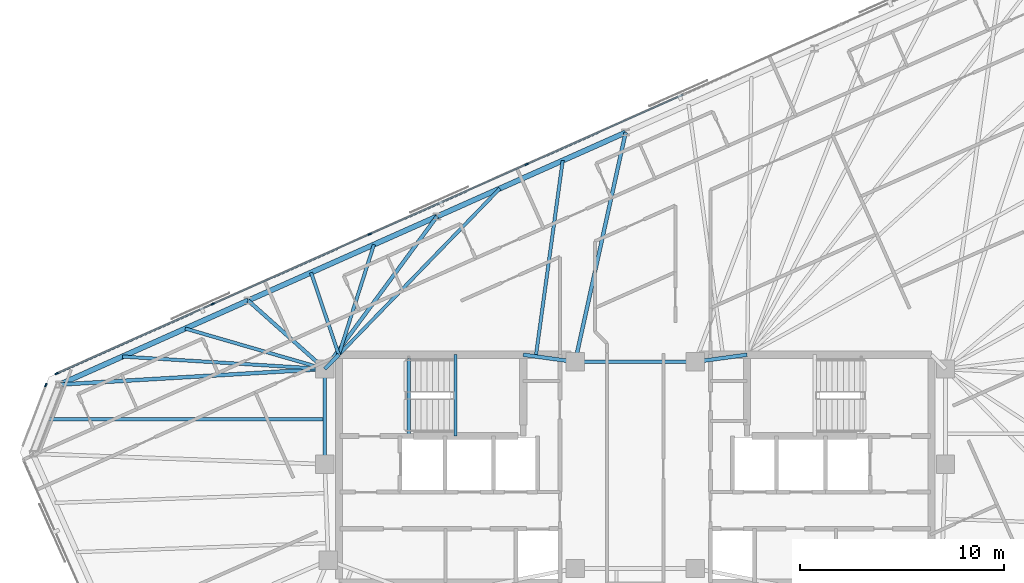
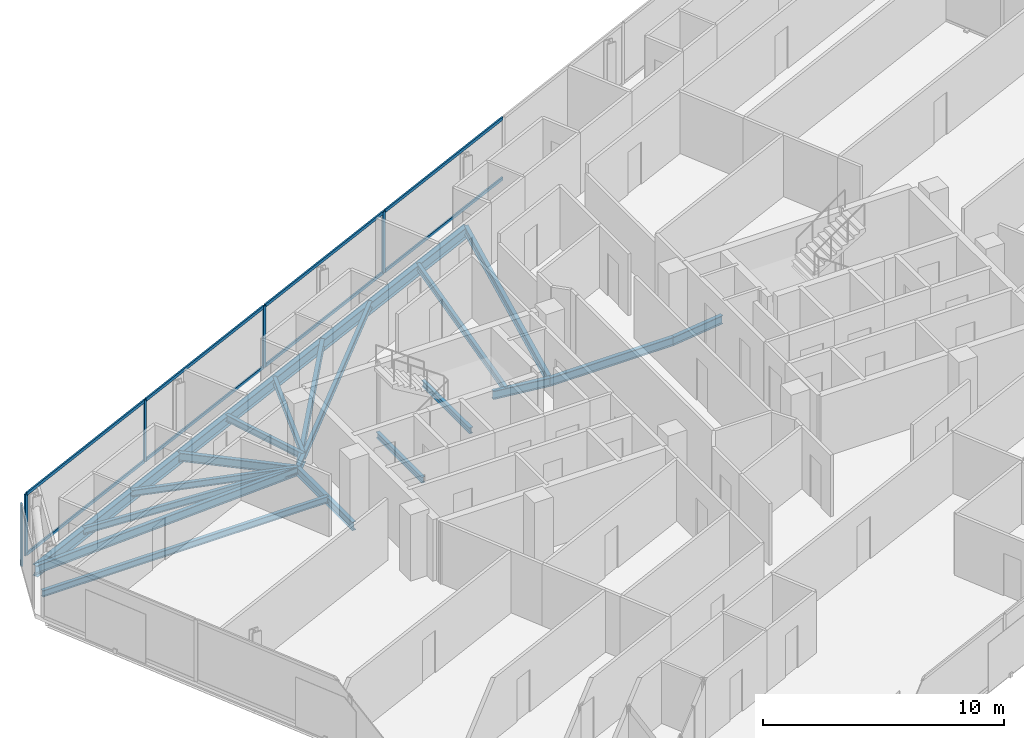
# One storey, part 9 of 19: 21 beams, 13 members, 2 elements without a shape of their own.
"""IFC4 building model written with IfcOpenShell, lengths in metres."""

from ifc_helpers import new_model, si_unit, direction, frame, origin, origin_2d, place, context, subcontext, project, spatial, rectangle, i_section, extrude, material, material_profile, profile_set, type_object, element, aggregate, save


model = new_model("IFC4")

# Units and contexts
model_context = context("Model", 3, precision=1e-05, world=origin(), true_north=direction((0.0, 1.0)))
body_context = subcontext(model_context, "Body", "Model", "MODEL_VIEW")
ifc_project = project(units=[si_unit("LENGTHUNIT", "METRE"), si_unit("AREAUNIT", "SQUARE_METRE"), si_unit("VOLUMEUNIT", "CUBIC_METRE"), si_unit("PLANEANGLEUNIT", "RADIAN"), si_unit("MASSUNIT", "GRAM", prefix="KILO")], contexts=[model_context])

# Site, building, storey
site_placement = place(None, origin())
site = spatial("IfcSite", under=ifc_project, at=site_placement, CompositionType="ELEMENT")
building_placement = place(site_placement, origin())
building = spatial("IfcBuilding", under=site, at=building_placement, Name="Menara Jurai Vektor", CompositionType="ELEMENT")
storey_placement = place(building_placement, frame((0.0, 0.0, 291.949951171875)))
storey = spatial("IfcBuildingStorey", under=building, at=storey_placement, Name="L78", CompositionType="ELEMENT", Elevation=291.949951171875)

# Curtain wall, members
ifc_material_1 = material(Name="Anodised Pale Aluminium & Low-E Double Glazing", Category="aluminium")
curtain_wall_type = type_object("IfcCurtainWallType", Name="CW-BLK5", PredefinedType="NOTDEFINED", material=ifc_material_1)
curtain_wall_1_placement = place(storey_placement, origin())
curtain_wall_1 = element("IfcCurtainWall", 1, at=curtain_wall_1_placement, inside=storey, type_object=curtain_wall_type, Name="Unitised Curtain Wall L78 F05", PredefinedType="NOTDEFINED")
ifc_material_2 = material(Name="Anodised Pale Aluminium Mullion", Category="aluminium")
ifc_material_profile_1 = material_profile(ifc_material_2, rectangle(XDim=0.074951171875, YDim=0.175048828125, at=origin_2d()), Name="ALU MUL 75x175")
ifc_profile_set_1 = profile_set([ifc_material_profile_1], Name="Anodised Pale Aluminium Mullion")
member_type_1 = type_object("IfcMemberType", Name="CW-BLK5-MUL", PredefinedType="MULLION", material=ifc_profile_set_1)
member_1_placement = place(storey_placement, frame((-5.327880859375, 14.957275390625, 0.0), z_axis=(0.0, 0.0, 1.0), x_axis=(0.406735498684, -0.913545967158, 0.0)))
member_1 = element("IfcMember", 2, at=member_1_placement, type_object=member_type_1, Name="CW-05 mullion 4", PredefinedType="MULLION", context=body_context, shape_type="SweptSolid", body=[
    extrude(rectangle(XDim=0.074951171875, YDim=0.175048828125, at=origin_2d()), origin(), (0.0, 0.0, 1.0), 3.125),
])
member_2_placement = place(storey_placement, frame((-13.038330078125, 11.5244140625, 0.0), z_axis=(0.0, 0.0, 1.0), x_axis=(0.406735498684, -0.913545967158, 0.0)))
member_2 = element("IfcMember", 3, at=member_2_placement, type_object=member_type_1, Name="CW-05 mullion 5", PredefinedType="MULLION", context=body_context, shape_type="SweptSolid", body=[
    extrude(rectangle(XDim=0.074951171875, YDim=0.175048828125, at=origin_2d()), origin(), (0.0, 0.0, 1.0), 3.125),
])
member_3_placement = place(storey_placement, frame((-20.748779296875, 8.091552734375, 0.0), z_axis=(0.0, 0.0, 1.0), x_axis=(0.406735498684, -0.913545967158, 0.0)))
member_3 = element("IfcMember", 4, at=member_3_placement, type_object=member_type_1, Name="CW-05 mullion 6", PredefinedType="MULLION", context=body_context, shape_type="SweptSolid", body=[
    extrude(rectangle(XDim=0.074951171875, YDim=0.175048828125, at=origin_2d()), origin(), (0.0, 0.0, 1.0), 3.125),
])
member_4_placement = place(storey_placement, frame((-28.4248046875, 4.674072265625, 0.0), z_axis=(0.0, 0.0, 1.0), x_axis=(0.406735498684, -0.913545967158, 0.0)))
member_4 = element("IfcMember", 5, at=member_4_placement, type_object=member_type_1, Name="CW-05 mullion 7", PredefinedType="MULLION", context=body_context, shape_type="SweptSolid", body=[
    extrude(rectangle(XDim=0.074951171875, YDim=0.175048828125, at=origin_2d()), origin(), (0.0, 0.0, 1.0), 3.125),
])

# Curtain wall, member
curtain_wall_2_placement = place(storey_placement, origin())
curtain_wall_2 = element("IfcCurtainWall", 6, at=curtain_wall_2_placement, inside=storey, type_object=curtain_wall_type, Name="Unitised Curtain Wall L78 F06", PredefinedType="NOTDEFINED")
member_5_placement = place(storey_placement, frame((-28.955810546875, 4.114501953125, 0.0), z_axis=(0.0, 0.0, 1.0), x_axis=(0.933578193639, -0.358373766287, 0.0)))
member_5 = element("IfcMember", 7, at=member_5_placement, type_object=member_type_1, Name="CW-05 mullion 1", PredefinedType="MULLION", context=body_context, shape_type="SweptSolid", body=[
    extrude(rectangle(XDim=0.074951171875, YDim=0.175048828125, at=origin_2d()), origin(), (0.0, 0.0, 1.0), 3.125),
])
aggregate(curtain_wall_2, [member_5])

# Member
ifc_material_3 = material(Name="Anodised Pale Aluminium Transom", Category="aluminium")
ifc_material_profile_2 = material_profile(ifc_material_3, rectangle(XDim=0.074951171875, YDim=0.155029296875, at=origin_2d()), Name="ALU TRN 75x155")
ifc_profile_set_2 = profile_set([ifc_material_profile_2], Name="Anodised Pale Aluminium Transom")
member_type_2 = type_object("IfcMemberType", Name="CW-BLK5-TRN", PredefinedType="USERDEFINED", material=ifc_profile_set_2)
member_6_placement = place(storey_placement, frame((2.34814453125, 18.375, 0.03759765625), z_axis=(-0.913546575494, -0.406734132331, 0.0), x_axis=(0.406734132331, -0.913546575494, 0.0)))
member_6 = element("IfcMember", 8, at=member_6_placement, type_object=member_type_2, Name="CW-05 transom 3.1", ObjectType="TRANSOM", PredefinedType="USERDEFINED", context=body_context, shape_type="SweptSolid", body=[
    extrude(rectangle(XDim=0.074951171875, YDim=0.155029296875, at=origin_2d()), origin(), (0.0, 0.0, 1.0), 8.364990234375),
])

member_7_placement = place(storey_placement, frame((2.34814453125, 18.375, 3.087646484375), z_axis=(-0.913546575494, -0.406734132331, 0.0), x_axis=(0.406734132331, -0.913546575494, 0.0)))
member_7 = element("IfcMember", 9, at=member_7_placement, type_object=member_type_2, Name="CW-05 transom 3.2", ObjectType="TRANSOM", PredefinedType="USERDEFINED", context=body_context, shape_type="SweptSolid", body=[
    extrude(rectangle(XDim=0.074951171875, YDim=0.155029296875, at=origin_2d()), origin(), (0.0, 0.0, 1.0), 8.364990234375),
])

member_8_placement = place(storey_placement, frame((-5.3623046875, 14.942138671875, 0.03759765625), z_axis=(-0.913546575494, -0.406734132331, 0.0), x_axis=(0.406734132331, -0.913546575494, 0.0)))
member_8 = element("IfcMember", 10, at=member_8_placement, type_object=member_type_2, Name="CW-05 transom 4.1", ObjectType="TRANSOM", PredefinedType="USERDEFINED", context=body_context, shape_type="SweptSolid", body=[
    extrude(rectangle(XDim=0.074951171875, YDim=0.155029296875, at=origin_2d()), origin(), (0.0, 0.0, 1.0), 8.364990234375),
])

member_9_placement = place(storey_placement, frame((-5.3623046875, 14.942138671875, 3.087646484375), z_axis=(-0.913546575494, -0.406734132331, 0.0), x_axis=(0.406734132331, -0.913546575494, 0.0)))
member_9 = element("IfcMember", 11, at=member_9_placement, type_object=member_type_2, Name="CW-05 transom 4.2", ObjectType="TRANSOM", PredefinedType="USERDEFINED", context=body_context, shape_type="SweptSolid", body=[
    extrude(rectangle(XDim=0.074951171875, YDim=0.155029296875, at=origin_2d()), origin(), (0.0, 0.0, 1.0), 8.364990234375),
])

member_10_placement = place(storey_placement, frame((-13.072509765625, 11.50927734375, 0.03759765625), z_axis=(-0.913546575494, -0.406734132331, 0.0), x_axis=(0.406734132331, -0.913546575494, 0.0)))
member_10 = element("IfcMember", 12, at=member_10_placement, type_object=member_type_2, Name="CW-05 transom 5.1", ObjectType="TRANSOM", PredefinedType="USERDEFINED", context=body_context, shape_type="SweptSolid", body=[
    extrude(rectangle(XDim=0.074951171875, YDim=0.155029296875, at=origin_2d()), origin(), (0.0, 0.0, 1.0), 8.364990234375),
])

member_11_placement = place(storey_placement, frame((-13.072509765625, 11.50927734375, 3.087646484375), z_axis=(-0.913546575494, -0.406734132331, 0.0), x_axis=(0.406734132331, -0.913546575494, 0.0)))
member_11 = element("IfcMember", 13, at=member_11_placement, type_object=member_type_2, Name="CW-05 transom 5.2", ObjectType="TRANSOM", PredefinedType="USERDEFINED", context=body_context, shape_type="SweptSolid", body=[
    extrude(rectangle(XDim=0.074951171875, YDim=0.155029296875, at=origin_2d()), origin(), (0.0, 0.0, 1.0), 8.364990234375),
])

member_12_placement = place(storey_placement, frame((-20.782958984375, 8.076416015625, 0.03759765625), z_axis=(-0.91353811338, -0.406753138159, 0.0), x_axis=(0.406753138159, -0.91353811338, 0.0)))
member_12 = element("IfcMember", 14, at=member_12_placement, type_object=member_type_2, Name="CW-05 transom 6.1", ObjectType="TRANSOM", PredefinedType="USERDEFINED", context=body_context, shape_type="SweptSolid", body=[
    extrude(rectangle(XDim=0.074951171875, YDim=0.155029296875, at=origin_2d()), origin(), (0.0, 0.0, 1.0), 8.327392578125),
])

member_13_placement = place(storey_placement, frame((-20.782958984375, 8.076416015625, 3.087646484375), z_axis=(-0.91353811338, -0.406753138159, 0.0), x_axis=(0.406753138159, -0.91353811338, 0.0)))
member_13 = element("IfcMember", 15, at=member_13_placement, type_object=member_type_2, Name="CW-05 transom 6.2", ObjectType="TRANSOM", PredefinedType="USERDEFINED", context=body_context, shape_type="SweptSolid", body=[
    extrude(rectangle(XDim=0.074951171875, YDim=0.155029296875, at=origin_2d()), origin(), (0.0, 0.0, 1.0), 8.327392578125),
])

aggregate(curtain_wall_1, [member_1, member_2, member_3, member_4, member_6, member_7, member_8, member_9, member_10, member_11, member_12, member_13])

# Beams
ifc_material_4 = material(Name="Steel S355", Category="steel")
ifc_material_profile_3 = material_profile(ifc_material_4, i_section(OverallWidth=0.18505859375, OverallDepth=0.429931640625, WebThickness=0.010986328125, FlangeThickness=0.01806640625, at=origin_2d()), Name="PG 430x185x76")
ifc_profile_set_3 = profile_set([ifc_material_profile_3], Name="Steel S355")
beam_type_1 = type_object("IfcBeamType", Name="STR-BM-430", PredefinedType="BEAM", material=ifc_profile_set_3)
beam_1_placement = place(storey_placement, frame((-15.25, 4.89990234375, -0.43994140625), z_axis=(0.701871936926, 0.712303154672, 0.0), x_axis=(-0.712303154672, 0.701871936926, 0.0)))
element("IfcBeam", 16, at=beam_1_placement, inside=storey, type_object=beam_type_1, Name="Core Ring Header Girder L78-CHW-N1", PredefinedType="BEAM", context=body_context, shape_type="SweptSolid", body=[
    extrude(i_section(OverallWidth=0.18505859375, OverallDepth=0.429931640625, WebThickness=0.010986328125, FlangeThickness=0.01806640625, at=origin_2d()), origin(), (0.0, 0.0, 1.0), 0.98291015625),
])
beam_2_placement = place(storey_placement, frame((-5.5, 5.60009765625, -0.43994140625), z_axis=(0.990706818608, -0.136014703483, 0.0), x_axis=(0.136014703483, 0.990706818608, 0.0)))
element("IfcBeam", 17, at=beam_2_placement, inside=storey, type_object=beam_type_1, Name="Core Ring Header Girder L78-CHW-N2", PredefinedType="BEAM", context=body_context, shape_type="SweptSolid", body=[
    extrude(i_section(OverallWidth=0.18505859375, OverallDepth=0.429931640625, WebThickness=0.010986328125, FlangeThickness=0.01806640625, at=origin_2d()), origin(), (0.0, 0.0, 1.0), 2.573974609375),
])
beam_3_placement = place(storey_placement, frame((-15.25, 0.219970703125, -0.43994140625), z_axis=(0.0, 1.0, 0.0), x_axis=(-1.0, 0.0, 0.0)))
element("IfcBeam", 18, at=beam_3_placement, inside=storey, type_object=beam_type_1, Name="Core Ring Header Girder L78-CHW-W1", PredefinedType="BEAM", context=body_context, shape_type="SweptSolid", body=[
    extrude(i_section(OverallWidth=0.18505859375, OverallDepth=0.429931640625, WebThickness=0.010986328125, FlangeThickness=0.01806640625, at=origin_2d()), origin(), (0.0, 0.0, 1.0), 4.679931640625),
])
beam_4_placement = place(storey_placement, frame((2.949951171875, 5.25, -0.43994140625), z_axis=(0.990706818608, 0.136014703483, 0.0), x_axis=(-0.136014703483, 0.990706818608, 0.0)))
element("IfcBeam", 19, at=beam_4_placement, inside=storey, type_object=beam_type_1, Name="Core Ring Header Girder L78-CHE-N1", PredefinedType="BEAM", context=body_context, shape_type="SweptSolid", body=[
    extrude(i_section(OverallWidth=0.18505859375, OverallDepth=0.429931640625, WebThickness=0.010986328125, FlangeThickness=0.01806640625, at=origin_2d()), origin(), (0.0, 0.0, 1.0), 2.573974609375),
])
beam_5_placement = place(storey_placement, frame((-2.949951171875, 5.25, -0.43994140625), z_axis=(1.0, 0.0, 0.0), x_axis=(0.0, 1.0, 0.0)))
element("IfcBeam", 20, at=beam_5_placement, inside=storey, type_object=beam_type_1, Name="Core Ring Header Girder L78-CC-2", PredefinedType="BEAM", context=body_context, shape_type="SweptSolid", body=[
    extrude(i_section(OverallWidth=0.18505859375, OverallDepth=0.429931640625, WebThickness=0.010986328125, FlangeThickness=0.01806640625, at=origin_2d()), origin(), (0.0, 0.0, 1.0), 5.89990234375),
])
beam_6_placement = place(storey_placement, frame((-0.467529296875, 16.519287109375, -0.43994140625), z_axis=(-0.215124522255, -0.976586626943, 0.0), x_axis=(0.976586626943, -0.215124522255, 0.0)))
element("IfcBeam", 21, at=beam_6_placement, inside=storey, type_object=beam_type_1, Name="Radial Floor Girder L78-N3", PredefinedType="BEAM", context=body_context, shape_type="SweptSolid", body=[
    extrude(i_section(OverallWidth=0.18505859375, OverallDepth=0.429931640625, WebThickness=0.010986328125, FlangeThickness=0.01806640625, at=origin_2d()), origin(), (0.0, 0.0, 1.0), 11.53955078125),
])
beam_7_placement = place(storey_placement, frame((-9.740966796875, 12.390380859375, -0.43994140625), z_axis=(-0.592483178081, -0.805582822366, 0.0), x_axis=(0.805582822366, -0.592483178081, 0.0)))
element("IfcBeam", 22, at=beam_7_placement, inside=storey, type_object=beam_type_1, Name="Radial Floor Girder L78-N4", PredefinedType="BEAM", context=body_context, shape_type="SweptSolid", body=[
    extrude(i_section(OverallWidth=0.18505859375, OverallDepth=0.429931640625, WebThickness=0.010986328125, FlangeThickness=0.01806640625, at=origin_2d()), origin(), (0.0, 0.0, 1.0), 9.298095703125),
])
beam_8_placement = place(storey_placement, frame((-19.0146484375, 8.26171875, -0.43994140625), z_axis=(0.745886163995, -0.666073442167, 0.0), x_axis=(0.666073442167, 0.745886163995, 0.0)))
element("IfcBeam", 23, at=beam_8_placement, inside=storey, type_object=beam_type_1, Name="Radial Floor Girder L78-N5", PredefinedType="BEAM", context=body_context, shape_type="SweptSolid", body=[
    extrude(i_section(OverallWidth=0.18505859375, OverallDepth=0.429931640625, WebThickness=0.010986328125, FlangeThickness=0.01806640625, at=origin_2d()), origin(), (0.0, 0.0, 1.0), 5.047119140625),
])
beam_9_placement = place(storey_placement, frame((-28.2880859375, 4.1328125, -0.43994140625), z_axis=(0.998273728533, 0.058732979834, 0.0), x_axis=(-0.058732979834, 0.998273728533, 0.0)))
element("IfcBeam", 24, at=beam_9_placement, inside=storey, type_object=beam_type_1, Name="Radial Floor Girder L78-N6", PredefinedType="BEAM", context=body_context, shape_type="SweptSolid", body=[
    extrude(i_section(OverallWidth=0.18505859375, OverallDepth=0.429931640625, WebThickness=0.010986328125, FlangeThickness=0.01806640625, at=origin_2d()), origin(), (0.0, 0.0, 1.0), 13.060546875),
])
ifc_material_profile_4 = material_profile(ifc_material_4, i_section(OverallWidth=0.1650390625, OverallDepth=0.330078125, WebThickness=0.009033203125, FlangeThickness=0.013916015625, at=origin_2d()), Name="PG 330x165x46")
ifc_profile_set_4 = profile_set([ifc_material_profile_4], Name="Steel S355")
beam_type_2 = type_object("IfcBeamType", Name="STR-JS-330", PredefinedType="JOIST", material=ifc_profile_set_4)
beam_10_placement = place(storey_placement, frame((-3.55859375, 15.14306640625, -0.389892578125), z_axis=(-0.135981954601, -0.990711314169, 0.0), x_axis=(0.990711314169, -0.135981954601, 0.0)))
element("IfcBeam", 25, at=beam_10_placement, inside=storey, type_object=beam_type_2, Name="Radial Secondary Floor Joist L78-JS19", PredefinedType="JOIST", context=body_context, shape_type="SweptSolid", body=[
    extrude(i_section(OverallWidth=0.1650390625, OverallDepth=0.330078125, WebThickness=0.009033203125, FlangeThickness=0.013916015625, at=origin_2d()), origin(), (0.0, 0.0, 1.0), 9.718505859375),
])
beam_11_placement = place(storey_placement, frame((-6.64990234375, 13.766845703125, -0.389892578125), z_axis=(-0.695732556791, -0.718300918433, 0.0), x_axis=(0.718300918433, -0.695732556791, 0.0)))
element("IfcBeam", 26, at=beam_11_placement, inside=storey, type_object=beam_type_2, Name="Radial Secondary Floor Joist L78-JS20", PredefinedType="JOIST", context=body_context, shape_type="SweptSolid", body=[
    extrude(i_section(OverallWidth=0.1650390625, OverallDepth=0.330078125, WebThickness=0.009033203125, FlangeThickness=0.013916015625, at=origin_2d()), origin(), (0.0, 0.0, 1.0), 11.36962890625),
])
beam_12_placement = place(storey_placement, frame((-12.832275390625, 11.01416015625, -0.389892578125), z_axis=(-0.304022753529, -0.952664770702, 0.0), x_axis=(0.952664770702, -0.304022753529, 0.0)))
element("IfcBeam", 27, at=beam_12_placement, inside=storey, type_object=beam_type_2, Name="Radial Secondary Floor Joist L78-JS21", PredefinedType="JOIST", context=body_context, shape_type="SweptSolid", body=[
    extrude(i_section(OverallWidth=0.1650390625, OverallDepth=0.330078125, WebThickness=0.009033203125, FlangeThickness=0.013916015625, at=origin_2d()), origin(), (0.0, 0.0, 1.0), 5.68310546875),
])
beam_13_placement = place(storey_placement, frame((-15.92333984375, 9.637939453125, -0.389892578125), z_axis=(0.319885998438, -0.947456040143, 0.0), x_axis=(0.947456040143, 0.319885998438, 0.0)))
element("IfcBeam", 28, at=beam_13_placement, inside=storey, type_object=beam_type_2, Name="Radial Secondary Floor Joist L78-JS22", PredefinedType="JOIST", context=body_context, shape_type="SweptSolid", body=[
    extrude(i_section(OverallWidth=0.1650390625, OverallDepth=0.330078125, WebThickness=0.009033203125, FlangeThickness=0.013916015625, at=origin_2d()), origin(), (0.0, 0.0, 1.0), 4.26171875),
])
beam_14_placement = place(storey_placement, frame((-22.105712890625, 6.885498046875, -0.389892578125), z_axis=(0.960525066064, -0.278193453306, 0.0), x_axis=(0.278193453306, 0.960525066064, 0.0)))
element("IfcBeam", 29, at=beam_14_placement, inside=storey, type_object=beam_type_2, Name="Radial Secondary Floor Joist L78-JS23", PredefinedType="JOIST", context=body_context, shape_type="SweptSolid", body=[
    extrude(i_section(OverallWidth=0.1650390625, OverallDepth=0.330078125, WebThickness=0.009033203125, FlangeThickness=0.013916015625, at=origin_2d()), origin(), (0.0, 0.0, 1.0), 7.137451171875),
])
beam_15_placement = place(storey_placement, frame((-25.197021484375, 5.509033203125, -0.389892578125), z_axis=(0.998130240593, -0.061123013776, 0.0), x_axis=(0.061123013776, 0.998130240593, 0.0)))
element("IfcBeam", 30, at=beam_15_placement, inside=storey, type_object=beam_type_2, Name="Radial Secondary Floor Joist L78-JS24", PredefinedType="JOIST", context=body_context, shape_type="SweptSolid", body=[
    extrude(i_section(OverallWidth=0.1650390625, OverallDepth=0.330078125, WebThickness=0.009033203125, FlangeThickness=0.013916015625, at=origin_2d()), origin(), (0.0, 0.0, 1.0), 9.965576171875),
])
beam_16_placement = place(storey_placement, frame((-28.93994140625, 2.434814453125, -0.389892578125), z_axis=(1.0, 0.0, 0.0), x_axis=(0.0, 1.0, 0.0)))
element("IfcBeam", 31, at=beam_16_placement, inside=storey, type_object=beam_type_2, Name="Radial Secondary Floor Joist L78-JS25", PredefinedType="JOIST", context=body_context, shape_type="SweptSolid", body=[
    extrude(i_section(OverallWidth=0.1650390625, OverallDepth=0.330078125, WebThickness=0.009033203125, FlangeThickness=0.013916015625, at=origin_2d()), origin(), (0.0, 0.0, 1.0), 13.68994140625),
])
ifc_material_profile_5 = material_profile(ifc_material_4, i_section(OverallWidth=0.1650390625, OverallDepth=0.302978515625, WebThickness=0.006103515625, FlangeThickness=0.010009765625, FilletRadius=0.009033203125, at=origin_2d()), Name="UKB 305x165x40")
ifc_profile_set_5 = profile_set([ifc_material_profile_5], Name="Steel S355")
beam_type_3 = type_object("IfcBeamType", Name="STR-LN-305", PredefinedType="LINTEL", material=ifc_profile_set_5)
beam_17_placement = place(storey_placement, frame((-11.1201171875, 1.60009765625, -0.37646484375), z_axis=(0.0, 1.0, 0.0), x_axis=(-1.0, 0.0, 0.0)))
element("IfcBeam", 32, at=beam_17_placement, inside=storey, type_object=beam_type_3, Name="Stair Well Floor Trimmer ST1 L78", PredefinedType="LINTEL", context=body_context, shape_type="SweptSolid", body=[
    extrude(i_section(OverallWidth=0.1650390625, OverallDepth=0.302978515625, WebThickness=0.006103515625, FlangeThickness=0.010009765625, FilletRadius=0.009033203125, at=origin_2d()), origin(), (0.0, 0.0, 1.0), 3.81982421875),
])
beam_18_placement = place(storey_placement, frame((-8.830078125, 1.60009765625, 1.323486328125), z_axis=(0.0, 1.0, 0.0), x_axis=(-1.0, 0.0, 0.0)))
element("IfcBeam", 33, at=beam_18_placement, inside=storey, type_object=beam_type_3, Name="Stair Half-Landing Nosing Trimmer ST1-1 L78", PredefinedType="LINTEL", context=body_context, shape_type="SweptSolid", body=[
    extrude(i_section(OverallWidth=0.1650390625, OverallDepth=0.302978515625, WebThickness=0.006103515625, FlangeThickness=0.010009765625, FilletRadius=0.009033203125, at=origin_2d()), origin(), (0.0, 0.0, 1.0), 4.0),
])
ifc_material_profile_6 = material_profile(ifc_material_4, i_section(OverallWidth=0.260009765625, OverallDepth=0.570068359375, WebThickness=0.013916015625, FlangeThickness=0.02392578125, at=origin_2d()), Name="PG 570x260x145")
ifc_profile_set_6 = profile_set([ifc_material_profile_6], Name="Steel S355")
beam_type_4 = type_object("IfcBeamType", Name="STR-SP-570", PredefinedType="SPANDREL", material=ifc_profile_set_6)
for number, where, z_axis, x_axis, name in (
    (34, (-0.467529296875, 16.519287109375, -0.510009765625), (-0.913541582548, -0.406745346568, 0.0), (0.406745346568, -0.913541582548, 0.0), "Exoskeleton Spandrel Beam L78-13"),
    (35, (-9.740966796875, 12.390380859375, -0.510009765625), (-0.913554497648, -0.406716338284, 0.0), (0.406716338284, -0.913554497648, 0.0), "Exoskeleton Spandrel Beam L78-14"),
    (36, (-19.0146484375, 8.26171875, -0.510009765625), (-0.913541582548, -0.406745346568, 0.0), (0.406745346568, -0.913541582548, 0.0), "Exoskeleton Spandrel Beam L78-15"),
):
    element("IfcBeam", number, at=place(storey_placement, frame(where, z_axis=z_axis, x_axis=x_axis)), inside=storey, type_object=beam_type_4, Name=name, PredefinedType="SPANDREL", context=body_context, shape_type="SweptSolid", body=[
        extrude(i_section(OverallWidth=0.260009765625, OverallDepth=0.570068359375, WebThickness=0.013916015625, FlangeThickness=0.02392578125, at=origin_2d()), origin(), (0.0, 0.0, 1.0), 10.151123046875),
    ])

save(model, "model.ifc")
